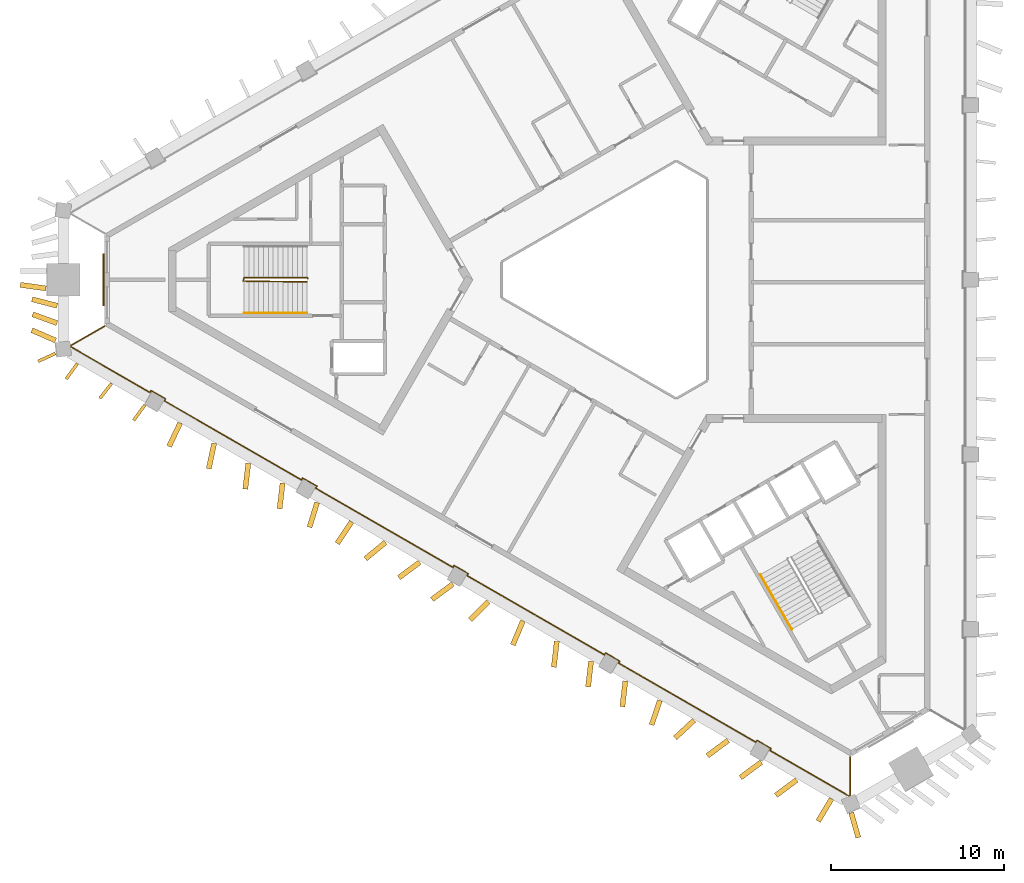
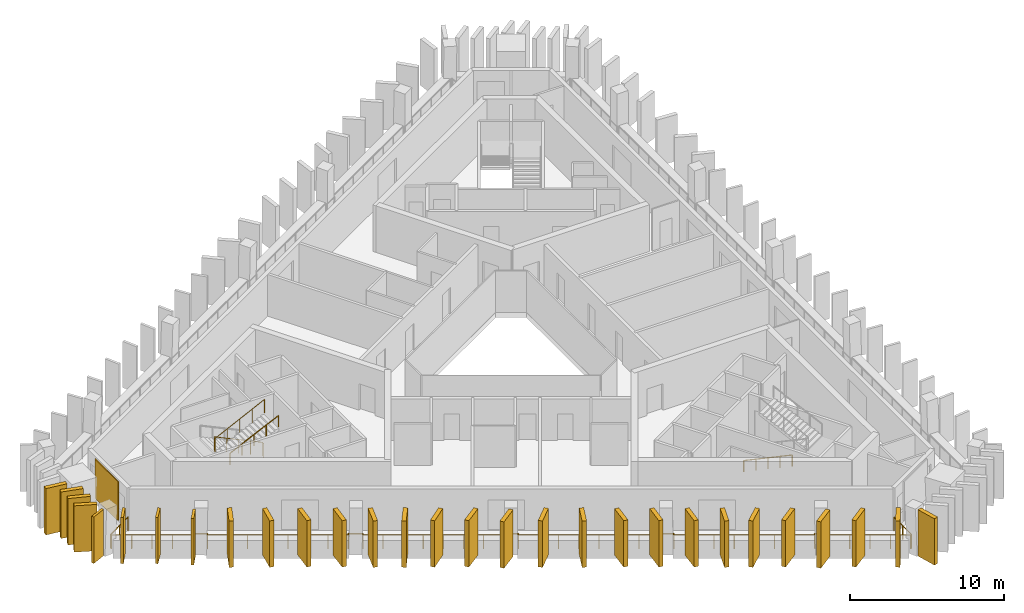
# One storey, part 7 of 9: 29 shading devices, 4 railings, 1 covering.
"""IFC4 building model written with IfcOpenShell, lengths in metres."""

import ifcopenshell
import ifcopenshell.guid

model = None  # the IFC model being written
_history = None  # IfcOwnerHistory: only IFC2X3 demands one
_inside = {}  # id of a spatial element -> (the spatial element, [elements in it])
_under = {}  # id of a project, library or spatial element -> (it, [spatial elements below it])
_declared = {}  # id of a project -> (the project, [libraries it declares])
_typed = {}  # id of a type object -> (the type object, [elements of that type])
_made_of = {}  # id of a material, layer set ... -> (it, [elements and type objects made of it])


def new_model(schema):
    """Start an empty IFC model of exactly this schema.

    Asked for "IFC4X3", IfcOpenShell would pick the latest addendum, in which some entities
    have other attributes; the version numbers below select the first issue.
    IFC2X3 requires an IfcOwnerHistory on every rooted entity: one is made here for all.
    """
    global model, _history
    if schema == "IFC4X3":
        model = ifcopenshell.file(schema_version=(4, 3, 0, 0))
    else:
        model = ifcopenshell.file(schema=schema)
    _inside.clear()
    _under.clear()
    _declared.clear()
    _typed.clear()
    _made_of.clear()
    _history = None
    if model.schema == "IFC2X3":
        org = make("IfcOrganization", Name="unknown")
        user = make(
            "IfcPersonAndOrganization",
            ThePerson=make("IfcPerson", FamilyName="unknown"),
            TheOrganization=org,
        )
        app = make(
            "IfcApplication",
            ApplicationDeveloper=org,
            Version="unknown",
            ApplicationFullName="unknown",
            ApplicationIdentifier="unknown",
        )
        _history = make(
            "IfcOwnerHistory",
            OwningUser=user,
            OwningApplication=app,
            ChangeAction="ADDED",
            CreationDate=0,
        )
    return model


def make(cls, **values):
    """One entity of the class cls with the attributes given. An attribute that is None is left unset."""
    return model.create_entity(
        cls, **{name: value for name, value in values.items() if value is not None}
    )


def rooted(cls, **values):
    """An entity with a GlobalId (a new one), such as an element, a storey or a relation."""
    return make(cls, GlobalId=ifcopenshell.guid.new(), OwnerHistory=_history, **values)


def si_unit(unit_type, name, prefix=None):
    """IfcSIUnit, for example si_unit("LENGTHUNIT", "METRE", prefix="MILLI")."""
    return make("IfcSIUnit", UnitType=unit_type, Prefix=prefix, Name=name)


def assignment(units):
    """IfcUnitAssignment: the units of a project."""
    return None if units is None else make("IfcUnitAssignment", Units=units)


def point(xyz):
    """IfcCartesianPoint."""
    return None if xyz is None else make("IfcCartesianPoint", Coordinates=xyz)


def direction(xyz):
    """IfcDirection."""
    return None if xyz is None else make("IfcDirection", DirectionRatios=xyz)


def frame(location, z_axis=None, x_axis=None):
    """IfcAxis2Placement3D, a coordinate frame: its origin and axes. An axis left out is left unset."""
    return make(
        "IfcAxis2Placement3D",
        Location=point(location),
        Axis=direction(z_axis),
        RefDirection=direction(x_axis),
    )


def frame_2d(location, x_axis=None):
    """IfcAxis2Placement2D, a coordinate frame in the plane: its origin and x axis."""
    return make(
        "IfcAxis2Placement2D", Location=point(location), RefDirection=direction(x_axis)
    )


def origin():
    """The frame at (0, 0, 0) with its axes left unset."""
    return frame((0.0, 0.0, 0.0))


def origin_2d():
    """The frame at (0, 0) in the plane with its x axis left unset."""
    return frame_2d((0.0, 0.0))


def place(relative_to, where):
    """IfcLocalPlacement: puts the frame where relative to a parent placement (None: the world)."""
    return make(
        "IfcLocalPlacement", PlacementRelTo=relative_to, RelativePlacement=where
    )


def context(
    kind, dimensions, precision=None, world=None, true_north=None, identifier=None
):
    """IfcGeometricRepresentationContext, for example the 3D "Model" context."""
    return make(
        "IfcGeometricRepresentationContext",
        ContextIdentifier=identifier,
        ContextType=kind,
        CoordinateSpaceDimension=dimensions,
        Precision=precision,
        WorldCoordinateSystem=world,
        TrueNorth=true_north,
    )


def subcontext(parent, identifier, kind, view, scale=None):
    """IfcGeometricRepresentationSubContext, for example "Body" below "Model"."""
    return make(
        "IfcGeometricRepresentationSubContext",
        ContextIdentifier=identifier,
        ContextType=kind,
        ParentContext=parent,
        TargetScale=scale,
        TargetView=view,
    )


def project(units=None, contexts=None):
    """IfcProject with its units and contexts."""
    return rooted(
        "IfcProject",
        Name="project",
        RepresentationContexts=contexts,
        UnitsInContext=assignment(units),
    )


def spatial(cls, under=None, at=None, **own):
    """A site, building, storey or space (cls), placed at a placement, below another one or the project."""
    s = rooted(cls, ObjectPlacement=at, **own)
    if under is not None:
        _under.setdefault(under.id(), (under, []))[1].append(s)
    return s


def profile(cls, at=None, kind="AREA", **sizes):
    """A parametric profile (cls). Its sizes go by their IFC names, for example OverallWidth=200.0."""
    return make(cls, ProfileType=kind, Position=at, **sizes)


def rectangle(**sizes):
    """IfcRectangleProfileDef."""
    return profile("IfcRectangleProfileDef", **sizes)


def circle(**sizes):
    """IfcCircleProfileDef."""
    return profile("IfcCircleProfileDef", **sizes)


def extrude(swept, where, along, depth):
    """IfcExtrudedAreaSolid: the profile swept, set in the frame where, extruded along a direction by depth."""
    return make(
        "IfcExtrudedAreaSolid",
        SweptArea=swept,
        Position=where,
        ExtrudedDirection=direction(along),
        Depth=depth,
    )


def shape(context_of_items, identifier, shape_type, items):
    """IfcShapeRepresentation: the items that make up one representation, for example the "Body"."""
    return make(
        "IfcShapeRepresentation",
        ContextOfItems=context_of_items,
        RepresentationIdentifier=identifier,
        RepresentationType=shape_type,
        Items=items,
    )


def material(Name=None, Category=None):
    """IfcMaterial."""
    return make("IfcMaterial", Name=Name, Category=Category)


def layer(
    of_material, thickness, ventilated=None, Name=None, Category=None, Priority=None
):
    """IfcMaterialLayer: one layer of a wall or slab, of a material (None: an air gap)."""
    return make(
        "IfcMaterialLayer",
        Material=of_material,
        LayerThickness=thickness,
        IsVentilated=ventilated,
        Name=Name,
        Category=Category,
        Priority=Priority,
    )


def layer_set(layers, Name=None):
    """IfcMaterialLayerSet."""
    return make("IfcMaterialLayerSet", MaterialLayers=layers, LayerSetName=Name)


def made_of(thing, what):
    """Note that an element or type object is made of a material, layer set ...; save() writes the relation."""
    if what is not None:
        _made_of.setdefault(what.id(), (what, []))[1].append(thing)
    return thing


def type_object(cls, material=None, **own):
    """A type object (cls), such as IfcWallType, which elements share."""
    return made_of(rooted(cls, **own), material)


def element(
    cls,
    number,
    at=None,
    inside=None,
    cuts=None,
    type_object=None,
    material=None,
    context=None,
    identifier="Body",
    shape_type=None,
    held_by="IfcProductDefinitionShape",
    body=None,
    shapes=None,
    **own,
):
    """One element of the class cls, such as IfcWall. Its Tag is "e" and its number.

    at: its placement. inside: the storey or other place that contains it. cuts: it is an
    opening in that element (IfcRelVoidsElement). A single representation is given by context,
    identifier, shape_type and body (its items); several are given by shapes. held_by: the class
    of the entity that holds the representations. save() writes the other relations.
    """
    e = rooted(cls, Tag="e%d" % number, ObjectPlacement=at, **own)
    if body is not None:
        shapes = [shape(context, identifier, shape_type, body)]
    if shapes is not None:
        e.Representation = make(held_by, Representations=shapes)
    if inside is not None:
        _inside.setdefault(inside.id(), (inside, []))[1].append(e)
    if cuts is not None:
        rooted(
            "IfcRelVoidsElement", RelatingBuildingElement=cuts, RelatedOpeningElement=e
        )
    if type_object is not None:
        _typed.setdefault(type_object.id(), (type_object, []))[1].append(e)
    return made_of(e, material)


def aggregate(whole, parts):
    """IfcRelAggregates: a whole, such as a stair, and the parts it consists of."""
    return rooted("IfcRelAggregates", RelatingObject=whole, RelatedObjects=parts)


def save(model, path):
    """Write the relations noted so far, then the file.

    IfcRelAggregates (storeys below a building ...), IfcRelContainedInSpatialStructure (elements
    in a storey), IfcRelDefinesByType, IfcRelAssociatesMaterial and IfcRelDeclares: one each for
    every whole, place, type object, material and project.
    """
    for whole, parts in _under.values():
        aggregate(whole, parts)
    for where, things in _inside.values():
        rooted(
            "IfcRelContainedInSpatialStructure",
            RelatedElements=things,
            RelatingStructure=where,
        )
    for kind, things in _typed.values():
        rooted("IfcRelDefinesByType", RelatedObjects=things, RelatingType=kind)
    for what, things in _made_of.values():
        rooted("IfcRelAssociatesMaterial", RelatedObjects=things, RelatingMaterial=what)
    for by, libraries in _declared.values():
        rooted("IfcRelDeclares", RelatingContext=by, RelatedDefinitions=libraries)
    model.write(path)


model = new_model("IFC4")

# Units and contexts
model_context = context("Model", 3, precision=1e-05, world=origin(), true_north=direction((0.0, 1.0)))
body_context = subcontext(model_context, "Body", "Model", "MODEL_VIEW")
ifc_project = project(units=[si_unit("LENGTHUNIT", "METRE"), si_unit("AREAUNIT", "SQUARE_METRE"), si_unit("VOLUMEUNIT", "CUBIC_METRE"), si_unit("PLANEANGLEUNIT", "RADIAN"), si_unit("MASSUNIT", "GRAM", prefix="KILO")], contexts=[model_context])

# Site, building, storey
site_placement = place(None, origin())
site = spatial("IfcSite", under=ifc_project, at=site_placement, CompositionType="ELEMENT")
building_placement = place(site_placement, origin())
building = spatial("IfcBuilding", under=site, at=building_placement, Name="Jabali Bay Hotel Tower and Convention Centre", CompositionType="ELEMENT")
storey_placement = place(building_placement, frame((0.0, 0.0, 239.10009765625)))
storey = spatial("IfcBuildingStorey", under=building, at=storey_placement, Name="L59", CompositionType="ELEMENT", Elevation=239.10009765625)

# Railing
ifc_material_1 = material(Name="Glass", Category="glass")
railing_type_1 = type_object("IfcRailingType", Name="Loggia glass guard 1100", PredefinedType="BALUSTRADE", material=ifc_material_1)
railing_1_placement = place(storey_placement, frame((87.826416015625, 52.412109375, 0.0)))
element("IfcRailing", 1, at=railing_1_placement, inside=storey, type_object=railing_type_1, Name="Loggia glass guard L59", PredefinedType="BALUSTRADE", context=body_context, shape_type="SweptSolid", body=[
    extrude(circle(Radius=0.02490234375, at=origin_2d()), frame((0.0, 0.0, 1.0751953125), z_axis=(0.0, -1.0, 0.0), x_axis=(0.991444861374, 0.0, 0.13052619222)), (0.0, 0.0, 1.0), 2.24755859375),
    extrude(circle(Radius=0.02490234375, at=origin_2d()), frame((0.0, -2.24755859375, 1.0751953125), z_axis=(-0.920462353345, -0.390831237333, 0.0), x_axis=(0.387487621918, -0.912587670312, 0.13052619222)), (0.0, 0.0, 1.0), 0.06689453125),
    extrude(circle(Radius=0.02490234375, at=origin_2d()), frame((-0.0615234375, -2.273681640625, 1.0751953125), z_axis=(-0.866036497279, 0.499980785011, 0.0), x_axis=(-0.495703380085, -0.85862743499, 0.13052619222)), (0.0, 0.0, 1.0), 5.290283203125),
    extrude(circle(Radius=0.02490234375, at=origin_2d()), frame((-4.64306640625, 0.371337890625, 1.0751953125), z_axis=(0.499497219344, 0.8663154898, 0.0), x_axis=(-0.858904040691, 0.495223951389, 0.13052619222)), (0.0, 0.0, 1.0), 0.125244140625),
    extrude(circle(Radius=0.02490234375, at=origin_2d()), frame((-4.58056640625, 0.479736328125, 1.0751953125), z_axis=(-0.866100000774, 0.49987077196, 0.0), x_axis=(-0.495594308211, -0.858690395203, 0.13052619222)), (0.0, 0.0, 1.0), 0.949951171875),
    extrude(circle(Radius=0.02490234375, at=origin_2d()), frame((-5.4033203125, 0.95458984375, 1.0751953125), z_axis=(-0.500342721131, -0.865827443207, 0.0), x_axis=(0.858420169404, -0.496062219791, 0.13052619222)), (0.0, 0.0, 1.0), 0.125),
    extrude(circle(Radius=0.02490234375, at=origin_2d()), frame((-5.4658203125, 0.846435546875, 1.0751953125), z_axis=(-0.866023583738, 0.5000031524, 0.0), x_axis=(-0.495725556117, -0.858614631926, 0.13052619222)), (0.0, 0.0, 1.0), 9.16015625),
    extrude(circle(Radius=0.02490234375, at=origin_2d()), frame((-13.398681640625, 5.426513671875, 1.0751953125), z_axis=(0.500342721131, 0.865827443207, 0.0), x_axis=(-0.858420169404, 0.496062219791, 0.13052619222)), (0.0, 0.0, 1.0), 0.125),
    extrude(circle(Radius=0.02490234375, at=origin_2d()), frame((-13.336181640625, 5.53466796875, 1.0751953125), z_axis=(-0.865988727248, 0.500063520245, 0.0), x_axis=(-0.495785407507, -0.858580073638, 0.13052619222)), (0.0, 0.0, 1.0), 0.9501953125),
    extrude(circle(Radius=0.02490234375, at=origin_2d()), frame((-14.158935546875, 6.009765625, 1.0751953125), z_axis=(-0.499497219344, -0.8663154898, 0.0), x_axis=(0.858904040691, -0.495223951389, 0.13052619222)), (0.0, 0.0, 1.0), 0.125244140625),
    extrude(circle(Radius=0.02490234375, at=origin_2d()), frame((-14.221435546875, 5.9013671875, 1.0751953125), z_axis=(-0.866023583738, 0.5000031524, 0.0), x_axis=(-0.495725556117, -0.858614631926, 0.13052619222)), (0.0, 0.0, 1.0), 9.16015625),
    extrude(circle(Radius=0.02490234375, at=origin_2d()), frame((-22.154296875, 10.4814453125, 1.0751953125), z_axis=(0.499497219344, 0.8663154898, 0.0), x_axis=(-0.858904040691, 0.495223951389, 0.13052619222)), (0.0, 0.0, 1.0), 0.125244140625),
    extrude(circle(Radius=0.02490234375, at=origin_2d()), frame((-22.091796875, 10.58984375, 1.0751953125), z_axis=(-0.866100000774, 0.49987077196, 0.0), x_axis=(-0.495594308211, -0.858690395203, 0.13052619222)), (0.0, 0.0, 1.0), 0.949951171875),
    extrude(circle(Radius=0.02490234375, at=origin_2d()), frame((-22.91455078125, 11.064697265625, 1.0751953125), z_axis=(-0.500342721131, -0.865827443207, 0.0), x_axis=(0.858420169404, -0.496062219791, 0.13052619222)), (0.0, 0.0, 1.0), 0.125),
    extrude(circle(Radius=0.02490234375, at=origin_2d()), frame((-22.97705078125, 10.95654296875, 1.0751953125), z_axis=(-0.866023583738, 0.5000031524, 0.0), x_axis=(-0.495725556117, -0.858614631926, 0.13052619222)), (0.0, 0.0, 1.0), 9.16015625),
    extrude(circle(Radius=0.02490234375, at=origin_2d()), frame((-30.909912109375, 15.53662109375, 1.0751953125), z_axis=(0.500342721131, 0.865827443207, 0.0), x_axis=(-0.858420169404, 0.496062219791, 0.13052619222)), (0.0, 0.0, 1.0), 0.125),
    extrude(circle(Radius=0.02490234375, at=origin_2d()), frame((-30.847412109375, 15.644775390625, 1.0751953125), z_axis=(-0.865988727248, 0.500063520245, 0.0), x_axis=(-0.495785407507, -0.858580073638, 0.13052619222)), (0.0, 0.0, 1.0), 0.9501953125),
    extrude(circle(Radius=0.02490234375, at=origin_2d()), frame((-31.670166015625, 16.119873046875, 1.0751953125), z_axis=(-0.499497219344, -0.8663154898, 0.0), x_axis=(0.858904040691, -0.495223951389, 0.13052619222)), (0.0, 0.0, 1.0), 0.125244140625),
    extrude(circle(Radius=0.02490234375, at=origin_2d()), frame((-31.732666015625, 16.011474609375, 1.0751953125), z_axis=(-0.866023583738, 0.5000031524, 0.0), x_axis=(-0.495725556117, -0.858614631926, 0.13052619222)), (0.0, 0.0, 1.0), 9.16015625),
    extrude(circle(Radius=0.02490234375, at=origin_2d()), frame((-39.66552734375, 20.591552734375, 1.0751953125), z_axis=(0.499497219344, 0.8663154898, 0.0), x_axis=(-0.858904040691, 0.495223951389, 0.13052619222)), (0.0, 0.0, 1.0), 0.125244140625),
    extrude(circle(Radius=0.02490234375, at=origin_2d()), frame((-39.60302734375, 20.699951171875, 1.0751953125), z_axis=(-0.866100000774, 0.49987077196, 0.0), x_axis=(-0.495594308211, -0.858690395203, 0.13052619222)), (0.0, 0.0, 1.0), 0.949951171875),
    extrude(circle(Radius=0.02490234375, at=origin_2d()), frame((-40.42578125, 21.1748046875, 1.0751953125), z_axis=(-0.500342721131, -0.865827443207, 0.0), x_axis=(0.858420169404, -0.496062219791, 0.13052619222)), (0.0, 0.0, 1.0), 0.125),
    extrude(circle(Radius=0.02490234375, at=origin_2d()), frame((-40.48828125, 21.066650390625, 1.0751953125), z_axis=(-0.866024960166, 0.500000768369, 0.0), x_axis=(-0.495723192482, -0.858615996578, 0.13052619222)), (0.0, 0.0, 1.0), 5.2900390625),
    extrude(circle(Radius=0.02490234375, at=origin_2d()), frame((-45.069580078125, 23.711669921875, 1.0751953125), z_axis=(-0.123587346971, 0.992333697739, 0.0), x_axis=(-0.983844145392, -0.122530040085, 0.13052619222)), (0.0, 0.0, 1.0), 0.067138671875),
    extrude(circle(Radius=0.02490234375, at=origin_2d()), frame((-45.077880859375, 23.7783203125, 1.0751953125), z_axis=(0.86603545466, 0.499982590969, 0.0), x_axis=(-0.495705170593, 0.85862640129, 0.13052619222)), (0.0, 0.0, 1.0), 2.24755859375),
    extrude(circle(Radius=0.02001953125, at=origin_2d()), origin(), (0.0, 0.0, 1.0), 1.050048828125),
    extrude(circle(Radius=0.02001953125, at=origin_2d()), frame((0.0, -1.123779296875, 0.0)), (0.0, 0.0, 1.0), 1.050048828125),
    extrude(circle(Radius=0.02001953125, at=origin_2d()), frame((0.0, -2.24755859375, 0.0)), (0.0, 0.0, 1.0), 1.050048828125),
    extrude(circle(Radius=0.02001953125, at=origin_2d()), frame((-0.0615234375, -2.273681640625, 0.0)), (0.0, 0.0, 1.0), 1.050048828125),
    extrude(circle(Radius=0.02001953125, at=origin_2d()), frame((-1.20703125, -1.6123046875, 0.0)), (0.0, 0.0, 1.0), 1.050048828125),
    extrude(circle(Radius=0.02001953125, at=origin_2d()), frame((-2.352294921875, -0.951171875, 0.0)), (0.0, 0.0, 1.0), 1.050048828125),
    extrude(circle(Radius=0.02001953125, at=origin_2d()), frame((-3.49755859375, -0.2900390625, 0.0)), (0.0, 0.0, 1.0), 1.050048828125),
    extrude(circle(Radius=0.02001953125, at=origin_2d()), frame((-4.64306640625, 0.371337890625, 0.0)), (0.0, 0.0, 1.0), 1.050048828125),
    extrude(circle(Radius=0.02001953125, at=origin_2d()), frame((-4.58056640625, 0.479736328125, 0.0)), (0.0, 0.0, 1.0), 1.050048828125),
    extrude(circle(Radius=0.02001953125, at=origin_2d()), frame((-5.4033203125, 0.95458984375, 0.0)), (0.0, 0.0, 1.0), 1.050048828125),
    extrude(circle(Radius=0.02001953125, at=origin_2d()), frame((-5.4658203125, 0.846435546875, 0.0)), (0.0, 0.0, 1.0), 1.050048828125),
    extrude(circle(Radius=0.02001953125, at=origin_2d()), frame((-6.59912109375, 1.500732421875, 0.0)), (0.0, 0.0, 1.0), 1.050048828125),
    extrude(circle(Radius=0.02001953125, at=origin_2d()), frame((-7.732421875, 2.155029296875, 0.0)), (0.0, 0.0, 1.0), 1.050048828125),
    extrude(circle(Radius=0.02001953125, at=origin_2d()), frame((-8.86572265625, 2.809326171875, 0.0)), (0.0, 0.0, 1.0), 1.050048828125),
    extrude(circle(Radius=0.02001953125, at=origin_2d()), frame((-9.998779296875, 3.463623046875, 0.0)), (0.0, 0.0, 1.0), 1.050048828125),
    extrude(circle(Radius=0.02001953125, at=origin_2d()), frame((-11.132080078125, 4.117919921875, 0.0)), (0.0, 0.0, 1.0), 1.050048828125),
    extrude(circle(Radius=0.02001953125, at=origin_2d()), frame((-12.265380859375, 4.772216796875, 0.0)), (0.0, 0.0, 1.0), 1.050048828125),
    extrude(circle(Radius=0.02001953125, at=origin_2d()), frame((-13.398681640625, 5.426513671875, 0.0)), (0.0, 0.0, 1.0), 1.050048828125),
    extrude(circle(Radius=0.02001953125, at=origin_2d()), frame((-13.336181640625, 5.53466796875, 0.0)), (0.0, 0.0, 1.0), 1.050048828125),
    extrude(circle(Radius=0.02001953125, at=origin_2d()), frame((-14.158935546875, 6.009765625, 0.0)), (0.0, 0.0, 1.0), 1.050048828125),
    extrude(circle(Radius=0.02001953125, at=origin_2d()), frame((-14.221435546875, 5.9013671875, 0.0)), (0.0, 0.0, 1.0), 1.050048828125),
    extrude(circle(Radius=0.02001953125, at=origin_2d()), frame((-15.354736328125, 6.5556640625, 0.0)), (0.0, 0.0, 1.0), 1.050048828125),
    extrude(circle(Radius=0.02001953125, at=origin_2d()), frame((-16.488037109375, 7.2099609375, 0.0)), (0.0, 0.0, 1.0), 1.050048828125),
    extrude(circle(Radius=0.02001953125, at=origin_2d()), frame((-17.621337890625, 7.8642578125, 0.0)), (0.0, 0.0, 1.0), 1.050048828125),
    extrude(circle(Radius=0.02001953125, at=origin_2d()), frame((-18.75439453125, 8.5185546875, 0.0)), (0.0, 0.0, 1.0), 1.050048828125),
    extrude(circle(Radius=0.02001953125, at=origin_2d()), frame((-19.8876953125, 9.1728515625, 0.0)), (0.0, 0.0, 1.0), 1.050048828125),
    extrude(circle(Radius=0.02001953125, at=origin_2d()), frame((-21.02099609375, 9.8271484375, 0.0)), (0.0, 0.0, 1.0), 1.050048828125),
    extrude(circle(Radius=0.02001953125, at=origin_2d()), frame((-22.154296875, 10.4814453125, 0.0)), (0.0, 0.0, 1.0), 1.050048828125),
    extrude(circle(Radius=0.02001953125, at=origin_2d()), frame((-22.091796875, 10.58984375, 0.0)), (0.0, 0.0, 1.0), 1.050048828125),
    extrude(circle(Radius=0.02001953125, at=origin_2d()), frame((-22.91455078125, 11.064697265625, 0.0)), (0.0, 0.0, 1.0), 1.050048828125),
    extrude(circle(Radius=0.02001953125, at=origin_2d()), frame((-22.97705078125, 10.95654296875, 0.0)), (0.0, 0.0, 1.0), 1.050048828125),
    extrude(circle(Radius=0.02001953125, at=origin_2d()), frame((-24.1103515625, 11.61083984375, 0.0)), (0.0, 0.0, 1.0), 1.050048828125),
    extrude(circle(Radius=0.02001953125, at=origin_2d()), frame((-25.24365234375, 12.26513671875, 0.0)), (0.0, 0.0, 1.0), 1.050048828125),
    extrude(circle(Radius=0.02001953125, at=origin_2d()), frame((-26.376953125, 12.91943359375, 0.0)), (0.0, 0.0, 1.0), 1.050048828125),
    extrude(circle(Radius=0.02001953125, at=origin_2d()), frame((-27.510009765625, 13.57373046875, 0.0)), (0.0, 0.0, 1.0), 1.050048828125),
    extrude(circle(Radius=0.02001953125, at=origin_2d()), frame((-28.643310546875, 14.22802734375, 0.0)), (0.0, 0.0, 1.0), 1.050048828125),
    extrude(circle(Radius=0.02001953125, at=origin_2d()), frame((-29.776611328125, 14.88232421875, 0.0)), (0.0, 0.0, 1.0), 1.050048828125),
    extrude(circle(Radius=0.02001953125, at=origin_2d()), frame((-30.909912109375, 15.53662109375, 0.0)), (0.0, 0.0, 1.0), 1.050048828125),
    extrude(circle(Radius=0.02001953125, at=origin_2d()), frame((-30.847412109375, 15.644775390625, 0.0)), (0.0, 0.0, 1.0), 1.050048828125),
    extrude(circle(Radius=0.02001953125, at=origin_2d()), frame((-31.670166015625, 16.119873046875, 0.0)), (0.0, 0.0, 1.0), 1.050048828125),
    extrude(circle(Radius=0.02001953125, at=origin_2d()), frame((-31.732666015625, 16.011474609375, 0.0)), (0.0, 0.0, 1.0), 1.050048828125),
    extrude(circle(Radius=0.02001953125, at=origin_2d()), frame((-32.865966796875, 16.665771484375, 0.0)), (0.0, 0.0, 1.0), 1.050048828125),
    extrude(circle(Radius=0.02001953125, at=origin_2d()), frame((-33.999267578125, 17.320068359375, 0.0)), (0.0, 0.0, 1.0), 1.050048828125),
    extrude(circle(Radius=0.02001953125, at=origin_2d()), frame((-35.132568359375, 17.974365234375, 0.0)), (0.0, 0.0, 1.0), 1.050048828125),
    extrude(circle(Radius=0.02001953125, at=origin_2d()), frame((-36.265625, 18.628662109375, 0.0)), (0.0, 0.0, 1.0), 1.050048828125),
    extrude(circle(Radius=0.02001953125, at=origin_2d()), frame((-37.39892578125, 19.282958984375, 0.0)), (0.0, 0.0, 1.0), 1.050048828125),
    extrude(circle(Radius=0.02001953125, at=origin_2d()), frame((-38.5322265625, 19.937255859375, 0.0)), (0.0, 0.0, 1.0), 1.050048828125),
    extrude(circle(Radius=0.02001953125, at=origin_2d()), frame((-39.66552734375, 20.591552734375, 0.0)), (0.0, 0.0, 1.0), 1.050048828125),
    extrude(circle(Radius=0.02001953125, at=origin_2d()), frame((-39.60302734375, 20.699951171875, 0.0)), (0.0, 0.0, 1.0), 1.050048828125),
    extrude(circle(Radius=0.02001953125, at=origin_2d()), frame((-40.42578125, 21.1748046875, 0.0)), (0.0, 0.0, 1.0), 1.050048828125),
    extrude(circle(Radius=0.02001953125, at=origin_2d()), frame((-40.48828125, 21.066650390625, 0.0)), (0.0, 0.0, 1.0), 1.050048828125),
    extrude(circle(Radius=0.02001953125, at=origin_2d()), frame((-41.633544921875, 21.72802734375, 0.0)), (0.0, 0.0, 1.0), 1.050048828125),
    extrude(circle(Radius=0.02001953125, at=origin_2d()), frame((-42.77880859375, 22.38916015625, 0.0)), (0.0, 0.0, 1.0), 1.050048828125),
    extrude(circle(Radius=0.02001953125, at=origin_2d()), frame((-43.92431640625, 23.05029296875, 0.0)), (0.0, 0.0, 1.0), 1.050048828125),
    extrude(circle(Radius=0.02001953125, at=origin_2d()), frame((-45.069580078125, 23.711669921875, 0.0)), (0.0, 0.0, 1.0), 1.050048828125),
    extrude(circle(Radius=0.02001953125, at=origin_2d()), frame((-45.077880859375, 23.7783203125, 0.0)), (0.0, 0.0, 1.0), 1.050048828125),
    extrude(circle(Radius=0.02001953125, at=origin_2d()), frame((-44.1044921875, 24.34033203125, 0.0)), (0.0, 0.0, 1.0), 1.050048828125),
    extrude(circle(Radius=0.02001953125, at=origin_2d()), frame((-43.13134765625, 24.902099609375, 0.0)), (0.0, 0.0, 1.0), 1.050048828125),
])

# Shading devices
ifc_material_2 = material(Name="Precast concrete C60", Category="concrete")
ifc_layer_1 = layer(ifc_material_2, 0.179931640625)
ifc_layer_set_1 = layer_set([ifc_layer_1], Name="Precast concrete C60")
shading_device_type_1 = type_object("IfcShadingDeviceType", Name="Precast fin 3680 x 1100", PredefinedType="USERDEFINED", material=ifc_layer_set_1)
shading_device_1_placement = place(storey_placement, frame((43.135009765625, 75.15283203125, 0.010009765625), z_axis=(0.0, 0.0, 1.0), x_axis=(-0.587643763041, -0.809119773432, 0.0)))
element("IfcShadingDevice", 2, at=shading_device_1_placement, inside=storey, type_object=shading_device_type_1, Name="Fin L59 062", ObjectType="FIN", PredefinedType="USERDEFINED", context=body_context, shape_type="SweptSolid", body=[
    extrude(rectangle(XDim=1.10009765625, YDim=0.179931640625, at=frame_2d((0.550048828125, 0.0))), origin(), (0.0, 0.0, 1.0), 3.679931640625),
])
shading_device_2_placement = place(storey_placement, frame((45.115234375, 74.005859375, 0.010009765625), z_axis=(0.0, 0.0, 1.0), x_axis=(-0.616870518169, -0.78706465034, 0.0)))
element("IfcShadingDevice", 3, at=shading_device_2_placement, inside=storey, type_object=shading_device_type_1, Name="Fin L59 063", ObjectType="FIN", PredefinedType="USERDEFINED", context=body_context, shape_type="SweptSolid", body=[
    extrude(rectangle(XDim=1.100341796875, YDim=0.179931640625, at=frame_2d((0.55029296875, 0.0))), origin(), (0.0, 0.0, 1.0), 3.679931640625),
])
for number, where, z_axis, x_axis, name in (
    (4, (47.034423828125, 72.753173828125, 0.010009765625), (0.0, 0.0, 1.0), (-0.589543444377, -0.807736669461, 0.0), "Fin L59 064"),
    (5, (41.869873046875, 75.74072265625, 0.010009765625), (0.0, 0.0, 1.0), (-0.909383330419, -0.41595908255, 0.0), "Fin L59 097"),
):
    element("IfcShadingDevice", number, at=place(storey_placement, frame(where, z_axis=z_axis, x_axis=x_axis)), inside=storey, type_object=shading_device_type_1, Name=name, ObjectType="FIN", PredefinedType="USERDEFINED", context=body_context, shape_type="SweptSolid", body=[
        extrude(rectangle(XDim=1.099853515625, YDim=0.179931640625, at=frame_2d((0.5498046875, 0.0))), origin(), (0.0, 0.0, 1.0), 3.679931640625),
    ])
ifc_layer_2 = layer(ifc_material_2, 0.300048828125)
ifc_layer_set_2 = layer_set([ifc_layer_2], Name="Precast concrete C60")
shading_device_type_2 = type_object("IfcShadingDeviceType", Name="Precast fin 3680 x 1500", PredefinedType="USERDEFINED", material=ifc_layer_set_2)
for number, where, z_axis, x_axis, name in (
    (6, (41.324951171875, 79.498291015625, 0.010009765625), (0.0, 0.0, 1.0), (-0.990384161691, 0.138344541896, 0.0), "Fin L59 058"),
    (7, (41.970458984375, 78.494873046875, 0.010009765625), (0.0, 0.0, 1.0), (-0.967701904711, 0.252097250319, 0.0), "Fin L59 059"),
    (8, (41.95703125, 77.491455078125, 0.010009765625), (0.0, 0.0, 1.0), (-0.939774413604, 0.341795335741, 0.0), "Fin L59 060"),
):
    element("IfcShadingDevice", number, at=place(storey_placement, frame(where, z_axis=z_axis, x_axis=x_axis)), inside=storey, type_object=shading_device_type_2, Name=name, ObjectType="FIN", PredefinedType="USERDEFINED", context=body_context, shape_type="SweptSolid", body=[
        extrude(rectangle(XDim=1.5, YDim=0.300048828125, at=frame_2d((0.75, 0.0))), origin(), (0.0, 0.0, 1.0), 3.679931640625),
    ])
shading_device_3_placement = place(storey_placement, frame((41.878662109375, 76.488037109375, 0.010009765625), z_axis=(0.0, 0.0, 1.0), x_axis=(-0.917741600183, 0.397177989437, 0.0)))
element("IfcShadingDevice", 9, at=shading_device_3_placement, inside=storey, type_object=shading_device_type_2, Name="Fin L59 061", ObjectType="FIN", PredefinedType="USERDEFINED", context=body_context, shape_type="SweptSolid", body=[
    extrude(rectangle(XDim=1.499755859375, YDim=0.300048828125, at=frame_2d((0.75, 0.0))), origin(), (0.0, 0.0, 1.0), 3.679931640625),
])
for number, where, z_axis, x_axis, name in (
    (10, (49.0791015625, 71.7177734375, 0.010009765625), (0.0, 0.0, 1.0), (-0.427379616893, -0.904072266505, 0.0), "Fin L59 065"),
    (11, (51.043701171875, 70.5439453125, 0.010009765625), (0.0, 0.0, 1.0), (-0.207027495993, -0.978335124537, 0.0), "Fin L59 066"),
    (12, (53.01904296875, 69.388671875, 0.010009765625), (0.0, 0.0, 1.0), (-0.117181186143, -0.993110552564, 0.0), "Fin L59 067"),
    (13, (55.000732421875, 68.244140625, 0.010009765625), (0.0, 0.0, 1.0), (-0.115396288642, -0.993319533971, 0.0), "Fin L59 068"),
    (14, (56.995361328125, 67.122314453125, 0.010009765625), (0.0, 0.0, 1.0), (-0.292152374579, -0.956371784416, 0.0), "Fin L59 069"),
):
    element("IfcShadingDevice", number, at=place(storey_placement, frame(where, z_axis=z_axis, x_axis=x_axis)), inside=storey, type_object=shading_device_type_2, Name=name, ObjectType="FIN", PredefinedType="USERDEFINED", context=body_context, shape_type="SweptSolid", body=[
        extrude(rectangle(XDim=1.5, YDim=0.300048828125, at=frame_2d((0.75, 0.0))), origin(), (0.0, 0.0, 1.0), 3.679931640625),
    ])
for number, where, z_axis, x_axis, name in (
    (15, (58.9892578125, 65.998779296875, 0.010009765625), (0.0, 0.0, 1.0), (-0.555563876704, -0.831473859422, 0.0), "Fin L59 070"),
    (16, (60.949462890625, 64.8173828125, 0.010009765625), (0.0, 0.0, 1.0), (-0.77260647216, -0.634885217325, 0.0), "Fin L59 071"),
):
    element("IfcShadingDevice", number, at=place(storey_placement, frame(where, z_axis=z_axis, x_axis=x_axis)), inside=storey, type_object=shading_device_type_2, Name=name, ObjectType="FIN", PredefinedType="USERDEFINED", context=body_context, shape_type="SweptSolid", body=[
        extrude(rectangle(XDim=1.499755859375, YDim=0.300048828125, at=frame_2d((0.75, 0.0))), origin(), (0.0, 0.0, 1.0), 3.679931640625),
    ])
for number, where, z_axis, x_axis, name in (
    (17, (62.927978515625, 63.66748046875, 0.010009765625), (0.0, 0.0, 1.0), (-0.802861809091, -0.596165174681, 0.0), "Fin L59 072"),
    (18, (64.843505859375, 62.408447265625, 0.010009765625), (0.0, 0.0, 1.0), (-0.802861809091, -0.596165174681, 0.0), "Fin L59 073"),
):
    element("IfcShadingDevice", number, at=place(storey_placement, frame(where, z_axis=z_axis, x_axis=x_axis)), inside=storey, type_object=shading_device_type_2, Name=name, ObjectType="FIN", PredefinedType="USERDEFINED", context=body_context, shape_type="SweptSolid", body=[
        extrude(rectangle(XDim=1.5, YDim=0.300048828125, at=frame_2d((0.75, 0.0))), origin(), (0.0, 0.0, 1.0), 3.679931640625),
    ])
shading_device_4_placement = place(storey_placement, frame((66.902099609375, 61.397216796875, 0.010009765625), z_axis=(0.0, 0.0, 1.0), x_axis=(-0.705313964044, -0.708895064254, 0.0)))
element("IfcShadingDevice", 19, at=shading_device_4_placement, inside=storey, type_object=shading_device_type_2, Name="Fin L59 074", ObjectType="FIN", PredefinedType="USERDEFINED", context=body_context, shape_type="SweptSolid", body=[
    extrude(rectangle(XDim=1.499755859375, YDim=0.300048828125, at=frame_2d((0.75, 0.0))), origin(), (0.0, 0.0, 1.0), 3.679931640625),
])
for number, where, z_axis, x_axis, name in (
    (20, (68.8935546875, 60.27001953125, 0.010009765625), (0.0, 0.0, 1.0), (-0.386579313833, -0.922256165128, 0.0), "Fin L59 075"),
    (21, (70.855224609375, 59.090576171875, 0.010009765625), (0.0, 0.0, 1.0), (-0.114914472364, -0.993375389287, 0.0), "Fin L59 076"),
):
    element("IfcShadingDevice", number, at=place(storey_placement, frame(where, z_axis=z_axis, x_axis=x_axis)), inside=storey, type_object=shading_device_type_2, Name=name, ObjectType="FIN", PredefinedType="USERDEFINED", context=body_context, shape_type="SweptSolid", body=[
        extrude(rectangle(XDim=1.5, YDim=0.300048828125, at=frame_2d((0.75, 0.0))), origin(), (0.0, 0.0, 1.0), 3.679931640625),
    ])
shading_device_5_placement = place(storey_placement, frame((72.8369140625, 57.946533203125, 0.010009765625), z_axis=(0.0, 0.0, 1.0), x_axis=(-0.114735296621, -0.993396100108, 0.0)))
element("IfcShadingDevice", 22, at=shading_device_5_placement, inside=storey, type_object=shading_device_type_2, Name="Fin L59 077", ObjectType="FIN", PredefinedType="USERDEFINED", context=body_context, shape_type="SweptSolid", body=[
    extrude(rectangle(XDim=1.500244140625, YDim=0.300048828125, at=frame_2d((0.75, 0.0))), origin(), (0.0, 0.0, 1.0), 3.679931640625),
])
for number, where, z_axis, x_axis, name in (
    (23, (74.81884765625, 56.80224609375, 0.010009765625), (0.0, 0.0, 1.0), (-0.114914472364, -0.993375389287, 0.0), "Fin L59 078"),
    (24, (76.815673828125, 55.68408203125, 0.010009765625), (0.0, 0.0, 1.0), (-0.320131108295, -0.947373249307, 0.0), "Fin L59 079"),
    (25, (78.790283203125, 54.52734375, 0.010009765625), (0.0, 0.0, 1.0), (-0.732039497787, -0.681262191582, 0.0), "Fin L59 080"),
    (26, (80.76416015625, 53.36962890625, 0.010009765625), (0.0, 0.0, 1.0), (-0.802861809091, -0.596165174681, 0.0), "Fin L59 081"),
    (27, (82.6796875, 52.11083984375, 0.010009765625), (0.0, 0.0, 1.0), (-0.802861809091, -0.596165174681, 0.0), "Fin L59 082"),
    (28, (84.727783203125, 51.081298828125, 0.010009765625), (0.0, 0.0, 1.0), (-0.802861809091, -0.596165174681, 0.0), "Fin L59 083"),
    (29, (86.73828125, 49.986572265625, 0.010009765625), (0.0, 0.0, 1.0), (-0.513633886634, -0.858009458282, 0.0), "Fin L59 084"),
):
    element("IfcShadingDevice", number, at=place(storey_placement, frame(where, z_axis=z_axis, x_axis=x_axis)), inside=storey, type_object=shading_device_type_2, Name=name, ObjectType="FIN", PredefinedType="USERDEFINED", context=body_context, shape_type="SweptSolid", body=[
        extrude(rectangle(XDim=1.5, YDim=0.300048828125, at=frame_2d((0.75, 0.0))), origin(), (0.0, 0.0, 1.0), 3.679931640625),
    ])
shading_device_6_placement = place(storey_placement, frame((87.87646484375, 49.188232421875, 0.010009765625), z_axis=(0.0, 0.0, 1.0), x_axis=(0.273732247502, -0.96180593504, 0.0)))
element("IfcShadingDevice", 30, at=shading_device_6_placement, inside=storey, type_object=shading_device_type_2, Name="Fin L59 098", ObjectType="FIN", PredefinedType="USERDEFINED", context=body_context, shape_type="SweptSolid", body=[
    extrude(rectangle(XDim=1.500244140625, YDim=0.300048828125, at=frame_2d((0.75, 0.0))), origin(), (0.0, 0.0, 1.0), 3.679931640625),
])

# Covering
ifc_material_3 = material(Name="Precast concrete C40/50", Category="concrete")
ifc_layer_3 = layer(ifc_material_3, 0.080078125)
ifc_layer_set_3 = layer_set([ifc_layer_3], Name="Precast concrete C40/50")
covering_type = type_object("IfcCoveringType", Name="Relief panel 3000 x 3100", PredefinedType="CLADDING", material=ifc_layer_set_3)
covering_placement = place(storey_placement, frame((44.655029296875, 80.0, 0.099853515625), z_axis=(0.0, 0.0, 1.0), x_axis=(0.0, 1.0, 0.0)))
element("IfcCovering", 31, at=covering_placement, inside=storey, type_object=covering_type, Name="Relief panel L59", PredefinedType="CLADDING", context=body_context, shape_type="SweptSolid", body=[
    extrude(rectangle(XDim=3.0, YDim=0.080078125, at=origin_2d()), origin(), (0.0, 0.0, 1.0), 3.10009765625),
])

# Railings
ifc_material_4 = material(Name="Steel Q355B", Category="steel")
railing_type_2 = type_object("IfcRailingType", Name="Stair guard 1100", PredefinedType="GUARDRAIL", material=ifc_material_4)
railing_2_placement = place(storey_placement, frame((56.469970703125, 80.074951171875, 0.0)))
element("IfcRailing", 32, at=railing_2_placement, inside=storey, type_object=railing_type_2, Name="L59 ST1 stair guard 1", PredefinedType="GUARDRAIL", context=body_context, shape_type="SweptSolid", body=[
    extrude(circle(Radius=0.02392578125, at=origin_2d()), frame((0.0, 0.0, 1.076171875), z_axis=(-0.333993628408, 0.333993628408, 0.881417331555), x_axis=(-0.707106781187, -0.707106781187, 0.0)), (0.0, 0.0, 1.0), 0.14990234375),
    extrude(circle(Radius=0.02392578125, at=origin_2d()), frame((-0.050048828125, 0.050048828125, 1.2080078125), z_axis=(-0.904350763662, 0.0, 0.426789990819), x_axis=(0.0, -1.0, 0.0)), (0.0, 0.0, 1.0), 4.02490234375),
    extrude(circle(Radius=0.02392578125, at=origin_2d()), frame((-3.68994140625, 0.050048828125, 2.92578125), z_axis=(-0.242814311512, -0.970072785993, 0.0), x_axis=(0.970072785993, -0.242814311512, 0.0)), (0.0, 0.0, 1.0), 0.2060546875),
    extrude(circle(Radius=0.02392578125, at=origin_2d()), frame((-3.739990234375, -0.14990234375, 2.92578125), z_axis=(0.893864111827, -0.012124000458, 0.448174026692), x_axis=(0.013562335953, 0.999908027292, 0.0)), (0.0, 0.0, 1.0), 4.128173828125),
    extrude(circle(Radius=0.02099609375, at=origin_2d()), origin(), (0.0, 0.0, 1.0), 1.052001953125),
    extrude(circle(Radius=0.02099609375, at=origin_2d()), frame((-0.050048828125, 0.050048828125, 0.132080078125)), (0.0, 0.0, 1.0), 1.052001953125),
    extrude(circle(Radius=0.02099609375, at=origin_2d()), frame((-0.9599609375, 0.050048828125, 0.5615234375)), (0.0, 0.0, 1.0), 1.052001953125),
    extrude(circle(Radius=0.02099609375, at=origin_2d()), frame((-1.8701171875, 0.050048828125, 0.990966796875)), (0.0, 0.0, 1.0), 1.052001953125),
    extrude(circle(Radius=0.02099609375, at=origin_2d()), frame((-2.780029296875, 0.050048828125, 1.42041015625)), (0.0, 0.0, 1.0), 1.052001953125),
    extrude(circle(Radius=0.02099609375, at=origin_2d()), frame((-3.68994140625, 0.050048828125, 1.849853515625)), (0.0, 0.0, 1.0), 1.052001953125),
    extrude(circle(Radius=0.02099609375, at=origin_2d()), frame((-3.739990234375, -0.14990234375, 1.849853515625)), (0.0, 0.0, 1.0), 1.052001953125),
    extrude(circle(Radius=0.02099609375, at=origin_2d()), frame((-2.8173828125, -0.162353515625, 2.3125)), (0.0, 0.0, 1.0), 1.052001953125),
    extrude(circle(Radius=0.02099609375, at=origin_2d()), frame((-1.89501953125, -0.1748046875, 2.77490234375)), (0.0, 0.0, 1.0), 1.052001953125),
    extrude(circle(Radius=0.02099609375, at=origin_2d()), frame((-0.97265625, -0.1875, 3.2373046875)), (0.0, 0.0, 1.0), 1.052001953125),
    extrude(circle(Radius=0.02099609375, at=origin_2d()), frame((-0.050048828125, -0.199951171875, 3.699951171875)), (0.0, 0.0, 1.0), 1.052001953125),
])
railing_type_3 = type_object("IfcRailingType", Name="Stair handrail 900", PredefinedType="HANDRAIL", material=ifc_material_4)
railing_3_placement = place(storey_placement, frame((52.780029296875, 78.074951171875, 1.98193359375)))
element("IfcRailing", 33, at=railing_3_placement, inside=storey, type_object=railing_type_3, Name="L59 ST1 stair handrail 2", PredefinedType="HANDRAIL", context=body_context, shape_type="SweptSolid", body=[
    extrude(circle(Radius=0.02392578125, at=origin_2d()), frame((0.0, 0.0, 0.8759765625), z_axis=(0.904327350853, 0.0, 0.426839598092), x_axis=(0.0, 1.0, 0.0)), (0.0, 0.0, 1.0), 4.02490234375),
    extrude(circle(Radius=0.02099609375, at=origin_2d()), origin(), (0.0, 0.0, 1.0), 0.851806640625),
    extrude(circle(Radius=0.02099609375, at=origin_2d()), frame((0.909912109375, 0.0, 0.429443359375)), (0.0, 0.0, 1.0), 0.851806640625),
    extrude(circle(Radius=0.02099609375, at=origin_2d()), frame((1.81982421875, 0.0, 0.85888671875)), (0.0, 0.0, 1.0), 0.851806640625),
    extrude(circle(Radius=0.02099609375, at=origin_2d()), frame((2.72998046875, 0.0, 1.28857421875)), (0.0, 0.0, 1.0), 0.851806640625),
    extrude(circle(Radius=0.02099609375, at=origin_2d()), frame((3.639892578125, 0.0, 1.718017578125)), (0.0, 0.0, 1.0), 0.851806640625),
])
railing_4_placement = place(storey_placement, frame((82.622802734375, 62.94677734375, 0.132080078125)))
element("IfcRailing", 34, at=railing_4_placement, inside=storey, type_object=railing_type_3, Name="L59 ST3 stair handrail 1", PredefinedType="HANDRAIL", context=body_context, shape_type="SweptSolid", body=[
    extrude(circle(Radius=0.02392578125, at=origin_2d()), frame((0.0, 0.0, 0.8759765625), z_axis=(0.452190331055, -0.783190014029, 0.426775475427), x_axis=(0.866018046521, 0.500012742938, 0.0)), (0.0, 0.0, 1.0), 4.02490234375),
    extrude(circle(Radius=0.02099609375, at=origin_2d()), origin(), (0.0, 0.0, 1.0), 0.851806640625),
    extrude(circle(Radius=0.02099609375, at=origin_2d()), frame((0.455078125, -0.7880859375, 0.429443359375)), (0.0, 0.0, 1.0), 0.851806640625),
    extrude(circle(Radius=0.02099609375, at=origin_2d()), frame((0.91015625, -1.576171875, 0.85888671875)), (0.0, 0.0, 1.0), 0.851806640625),
    extrude(circle(Radius=0.02099609375, at=origin_2d()), frame((1.364990234375, -2.3642578125, 1.288330078125)), (0.0, 0.0, 1.0), 0.851806640625),
    extrude(circle(Radius=0.02099609375, at=origin_2d()), frame((1.820068359375, -3.15234375, 1.7177734375)), (0.0, 0.0, 1.0), 0.851806640625),
])

save(model, "model.ifc")
